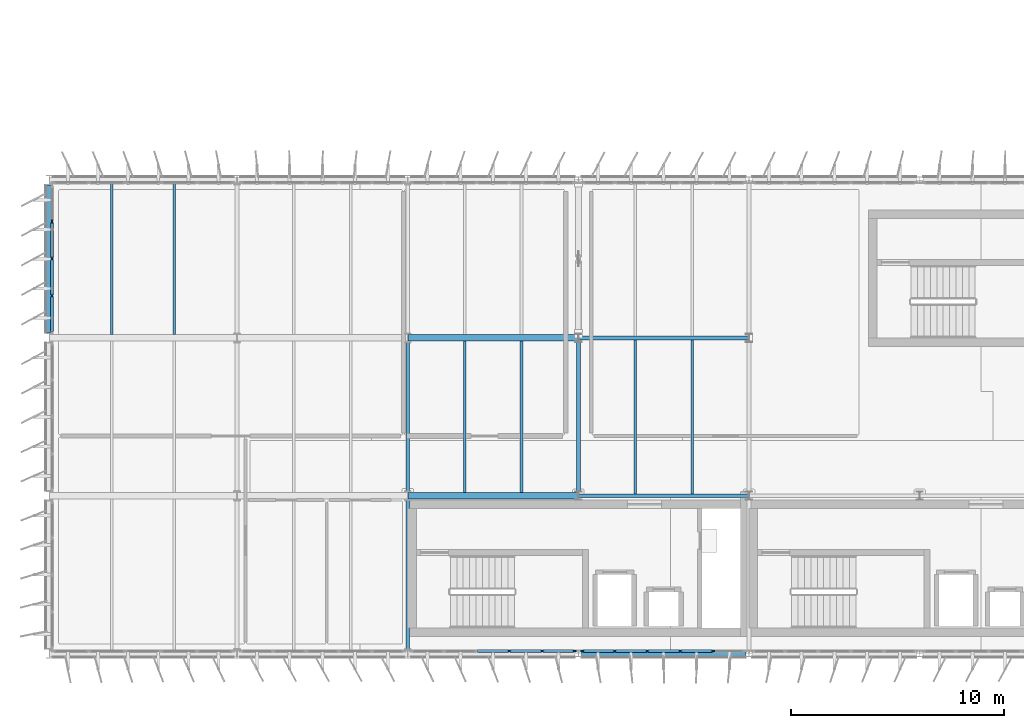
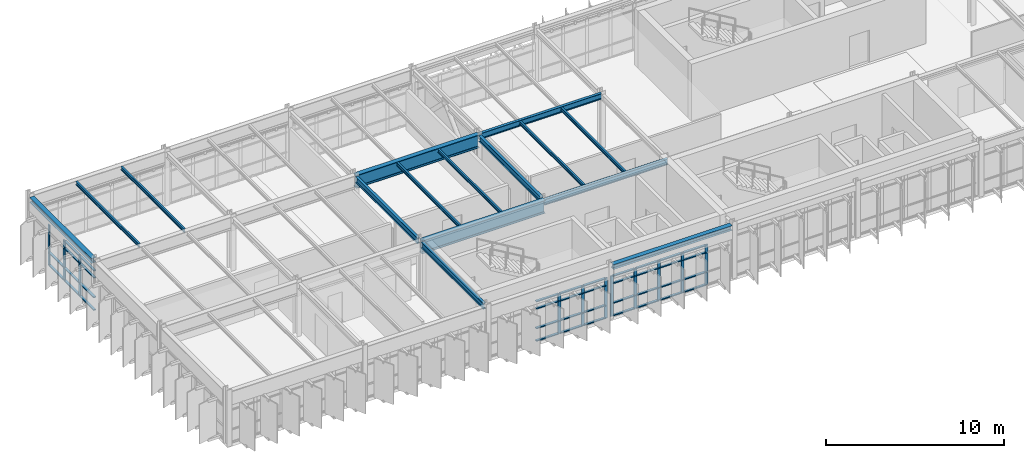
# One storey, part 6 of 35: 49 members, 15 beams, 3 elements without a shape of their own.
"""IFC4 building model written with IfcOpenShell, lengths in metres."""

from ifc_helpers import new_model, si_unit, direction, frame, origin, origin_2d, place, context, subcontext, project, spatial, rectangle, i_section, extrude, material, layer, layer_set, material_profile, profile_set, type_object, element, aggregate, save


model = new_model("IFC4")

# Units and contexts
model_context = context("Model", 3, precision=1e-05, world=origin(), true_north=direction((0.0, 1.0)))
body_context = subcontext(model_context, "Body", "Model", "MODEL_VIEW")
ifc_project = project(units=[si_unit("LENGTHUNIT", "METRE"), si_unit("AREAUNIT", "SQUARE_METRE"), si_unit("VOLUMEUNIT", "CUBIC_METRE"), si_unit("PLANEANGLEUNIT", "RADIAN"), si_unit("MASSUNIT", "GRAM", prefix="KILO")], contexts=[model_context])

# Site, building, storey
site_placement = place(None, origin())
site = spatial("IfcSite", under=ifc_project, at=site_placement, CompositionType="ELEMENT")
building_placement = place(site_placement, origin())
building = spatial("IfcBuilding", under=site, at=building_placement, Name="Valkorina Park Police Headquarters", CompositionType="ELEMENT")
storey_placement = place(building_placement, frame((0.0, 0.0, 27.199951171875)))
storey = spatial("IfcBuildingStorey", under=building, at=storey_placement, Name="L07", CompositionType="ELEMENT", Elevation=27.199951171875)

# Beams
ifc_material_1 = material(Name="Steel S355", Category="steel")
ifc_material_profile_1 = material_profile(ifc_material_1, i_section(OverallWidth=0.300048828125, OverallDepth=0.330078125, WebThickness=0.009521484375, FlangeThickness=0.0166015625, FilletRadius=0.027099609375, at=origin_2d()), Name="HEA 340")
ifc_profile_set_1 = profile_set([ifc_material_profile_1], Name="Steel S355")
beam_type_1 = type_object("IfcBeamType", Name="BM-S355-HEA340-SPN", PredefinedType="SPANDREL", material=ifc_profile_set_1)
beam_1_placement = place(storey_placement, frame((24.949951171875, 37.0, 3.51513671875), z_axis=(1.0, 0.0, 0.0), x_axis=(0.0, 1.0, 0.0)))
element("IfcBeam", 1, at=beam_1_placement, inside=storey, type_object=beam_type_1, Name="L07 Framing Beam 2727", PredefinedType="SPANDREL", context=body_context, shape_type="SweptSolid", body=[
    extrude(i_section(OverallWidth=0.300048828125, OverallDepth=0.330078125, WebThickness=0.009521484375, FlangeThickness=0.0166015625, FilletRadius=0.027099609375, at=origin_2d()), origin(), (0.0, 0.0, 1.0), 7.699951171875),
])
beam_2_placement = place(storey_placement, frame((0.0, 52.02490234375, 3.51513671875), z_axis=(0.0, 1.0, 0.0), x_axis=(-1.0, 0.0, 0.0)))
element("IfcBeam", 2, at=beam_2_placement, inside=storey, type_object=beam_type_1, Name="L07 Framing Beam 2759", PredefinedType="SPANDREL", context=body_context, shape_type="SweptSolid", body=[
    extrude(i_section(OverallWidth=0.300048828125, OverallDepth=0.330078125, WebThickness=0.009521484375, FlangeThickness=0.0166015625, FilletRadius=0.027099609375, at=origin_2d()), origin(), (0.0, 0.0, 1.0), 6.9501953125),
])
ifc_material_profile_2 = material_profile(ifc_material_1, i_section(OverallWidth=0.300048828125, OverallDepth=0.89990234375, WebThickness=0.0185546875, FlangeThickness=0.034912109375, FilletRadius=0.030029296875, at=origin_2d()), Name="HEB 900")
ifc_profile_set_2 = profile_set([ifc_material_profile_2], Name="Steel S355")
beam_type_2 = type_object("IfcBeamType", Name="BM-S355-HEB900-BM", PredefinedType="BEAM", material=ifc_profile_set_2)
for number, where, z_axis, x_axis, name in (
    (3, (16.806884765625, 44.39990234375, 3.22998046875), (1.0, 0.0, 0.0), (0.0, 1.0, 0.0), "L07 Framing Beam 2735"),
    (4, (16.806884765625, 51.800048828125, 3.22998046875), (1.0, 0.0, 0.0), (0.0, 1.0, 0.0), "L07 Framing Beam 2742"),
):
    element("IfcBeam", number, at=place(storey_placement, frame(where, z_axis=z_axis, x_axis=x_axis)), inside=storey, type_object=beam_type_2, Name=name, PredefinedType="BEAM", context=body_context, shape_type="SweptSolid", body=[
        extrude(i_section(OverallWidth=0.300048828125, OverallDepth=0.89990234375, WebThickness=0.0185546875, FlangeThickness=0.034912109375, FilletRadius=0.030029296875, at=origin_2d()), origin(), (0.0, 0.0, 1.0), 7.987548828125),
    ])
ifc_material_profile_3 = material_profile(ifc_material_1, i_section(OverallWidth=0.1201171875, OverallDepth=0.239990234375, WebThickness=0.006103515625, FlangeThickness=0.009765625, FilletRadius=0.014892578125, at=origin_2d()), Name="IPE 240")
ifc_profile_set_3 = profile_set([ifc_material_profile_3], Name="Steel S355")
beam_type_3 = type_object("IfcBeamType", Name="BM-S355-IPE240-JST", PredefinedType="JOIST", material=ifc_profile_set_3)
for number, where, z_axis, x_axis, name in (
    (5, (2.933349609375, 51.949951171875, 3.56005859375), (0.0, 1.0, 0.0), (-1.0, 0.0, 0.0), "L07 Framing Beam 2760"),
    (6, (5.86669921875, 51.949951171875, 3.56005859375), (0.0, 1.0, 0.0), (-1.0, 0.0, 0.0), "L07 Framing Beam 2761"),
):
    element("IfcBeam", number, at=place(storey_placement, frame(where, z_axis=z_axis, x_axis=x_axis)), inside=storey, type_object=beam_type_3, Name=name, PredefinedType="JOIST", context=body_context, shape_type="SweptSolid", body=[
        extrude(i_section(OverallWidth=0.1201171875, OverallDepth=0.239990234375, WebThickness=0.006103515625, FlangeThickness=0.009765625, FilletRadius=0.014892578125, at=origin_2d()), origin(), (0.0, 0.0, 1.0), 7.10009765625),
    ])
for number, where, z_axis, x_axis, name in (
    (7, (19.466796875, 44.550048828125, 3.56005859375), (0.0, 1.0, 0.0), (-1.0, 0.0, 0.0), "L07 Framing Beam 2773"),
    (8, (22.13330078125, 44.550048828125, 3.56005859375), (0.0, 1.0, 0.0), (-1.0, 0.0, 0.0), "L07 Framing Beam 2774"),
):
    element("IfcBeam", number, at=place(storey_placement, frame(where, z_axis=z_axis, x_axis=x_axis)), inside=storey, type_object=beam_type_3, Name=name, PredefinedType="JOIST", context=body_context, shape_type="SweptSolid", body=[
        extrude(i_section(OverallWidth=0.1201171875, OverallDepth=0.239990234375, WebThickness=0.006103515625, FlangeThickness=0.009765625, FilletRadius=0.014892578125, at=origin_2d()), origin(), (0.0, 0.0, 1.0), 7.099853515625),
    ])
for number, where, z_axis, x_axis, name in (
    (9, (27.466796875, 44.489990234375, 3.56005859375), (0.0, 1.0, 0.0), (-1.0, 0.0, 0.0), "L07 Framing Beam 2779"),
    (10, (30.13330078125, 44.489990234375, 3.56005859375), (0.0, 1.0, 0.0), (-1.0, 0.0, 0.0), "L07 Framing Beam 2780"),
):
    element("IfcBeam", number, at=place(storey_placement, frame(where, z_axis=z_axis, x_axis=x_axis)), inside=storey, type_object=beam_type_3, Name=name, PredefinedType="JOIST", context=body_context, shape_type="SweptSolid", body=[
        extrude(i_section(OverallWidth=0.1201171875, OverallDepth=0.239990234375, WebThickness=0.006103515625, FlangeThickness=0.009765625, FilletRadius=0.014892578125, at=origin_2d()), origin(), (0.0, 0.0, 1.0), 7.219970703125),
    ])
ifc_material_profile_4 = material_profile(ifc_material_1, i_section(OverallWidth=0.179931640625, OverallDepth=0.39990234375, WebThickness=0.008544921875, FlangeThickness=0.013427734375, FilletRadius=0.02099609375, at=origin_2d()), Name="IPE 400")
ifc_profile_set_4 = profile_set([ifc_material_profile_4], Name="Steel S355")
beam_type_4 = type_object("IfcBeamType", Name="BM-S355-IPE400-BM", PredefinedType="BEAM", material=ifc_profile_set_4)
for number, where, z_axis, x_axis, name in (
    (11, (24.805419921875, 44.39990234375, 3.47998046875), (1.0, 0.0, 0.0), (0.0, 1.0, 0.0), "L07 Framing Beam 2736"),
    (12, (24.805419921875, 51.800048828125, 3.47998046875), (1.0, 0.0, 0.0), (0.0, 1.0, 0.0), "L07 Framing Beam 2743"),
):
    element("IfcBeam", number, at=place(storey_placement, frame(where, z_axis=z_axis, x_axis=x_axis)), inside=storey, type_object=beam_type_4, Name=name, PredefinedType="BEAM", context=body_context, shape_type="SweptSolid", body=[
        extrude(i_section(OverallWidth=0.179931640625, OverallDepth=0.39990234375, WebThickness=0.008544921875, FlangeThickness=0.013427734375, FilletRadius=0.02099609375, at=origin_2d()), origin(), (0.0, 0.0, 1.0), 7.989013671875),
    ])
for number, where, z_axis, x_axis, name in (
    (13, (16.800048828125, 37.22509765625, 3.47998046875), (0.0, 1.0, 0.0), (-1.0, 0.0, 0.0), "L07 Framing Beam 2771"),
    (14, (16.800048828125, 44.625, 3.47998046875), (0.0, 1.0, 0.0), (-1.0, 0.0, 0.0), "L07 Framing Beam 2772"),
):
    element("IfcBeam", number, at=place(storey_placement, frame(where, z_axis=z_axis, x_axis=x_axis)), inside=storey, type_object=beam_type_4, Name=name, PredefinedType="BEAM", context=body_context, shape_type="SweptSolid", body=[
        extrude(i_section(OverallWidth=0.179931640625, OverallDepth=0.39990234375, WebThickness=0.008544921875, FlangeThickness=0.013427734375, FilletRadius=0.02099609375, at=origin_2d()), origin(), (0.0, 0.0, 1.0), 6.949951171875),
    ])
beam_3_placement = place(storey_placement, frame((24.800048828125, 44.594970703125, 3.47998046875), z_axis=(0.0, 1.0, 0.0), x_axis=(-1.0, 0.0, 0.0)))
element("IfcBeam", 15, at=beam_3_placement, inside=storey, type_object=beam_type_4, Name="L07 Framing Beam 2778", PredefinedType="BEAM", context=body_context, shape_type="SweptSolid", body=[
    extrude(i_section(OverallWidth=0.179931640625, OverallDepth=0.39990234375, WebThickness=0.008544921875, FlangeThickness=0.013427734375, FilletRadius=0.02099609375, at=origin_2d()), origin(), (0.0, 0.0, 1.0), 7.010009765625),
])

# Curtain wall, members
ifc_material_2 = material(Name="Thermally broken aluminium AW-6060", Category="aluminium")
ifc_layer_1 = layer(ifc_material_2, 0.18994140625)
ifc_layer_set_1 = layer_set([ifc_layer_1], Name="Thermally broken aluminium AW-6060")
curtain_wall_type_1 = type_object("IfcCurtainWallType", Name="CW-V5-7680x2770", PredefinedType="NOTDEFINED", material=ifc_layer_set_1)
curtain_wall_1_placement = place(storey_placement, origin())
curtain_wall_1 = element("IfcCurtainWall", 16, at=curtain_wall_1_placement, inside=storey, type_object=curtain_wall_type_1, Name="L07 Unitised Curtain Wall 138", PredefinedType="NOTDEFINED")
ifc_material_profile_5 = material_profile(ifc_material_2, rectangle(XDim=0.070068359375, YDim=0.18994140625, at=origin_2d()), Name="CWM-02 70x190")
ifc_profile_set_5 = profile_set([ifc_material_profile_5], Name="Thermally broken aluminium AW-6060")
member_type_1 = type_object("IfcMemberType", Name="CWM-70x190", PredefinedType="MULLION", material=ifc_profile_set_5)
member_1_placement = place(storey_placement, frame((31.10400390625, 37.1201171875, 0.0), z_axis=(0.0, 0.0, 1.0), x_axis=(0.0, -1.0, 0.0)))
member_1 = element("IfcMember", 17, at=member_1_placement, type_object=member_type_1, Name="CW-V5-768-277 mullion 2", PredefinedType="MULLION", context=body_context, shape_type="SweptSolid", body=[
    extrude(rectangle(XDim=0.070068359375, YDim=0.18994140625, at=origin_2d()), origin(), (0.0, 0.0, 1.0), 2.77001953125),
])
member_2_placement = place(storey_placement, frame((29.568115234375, 37.1201171875, 0.0), z_axis=(0.0, 0.0, 1.0), x_axis=(0.0, -1.0, 0.0)))
member_2 = element("IfcMember", 18, at=member_2_placement, type_object=member_type_1, Name="CW-V5-768-277 mullion 3", PredefinedType="MULLION", context=body_context, shape_type="SweptSolid", body=[
    extrude(rectangle(XDim=0.070068359375, YDim=0.18994140625, at=origin_2d()), origin(), (0.0, 0.0, 1.0), 2.77001953125),
])
member_3_placement = place(storey_placement, frame((28.031982421875, 37.1201171875, 0.0), z_axis=(0.0, 0.0, 1.0), x_axis=(0.0, -1.0, 0.0)))
member_3 = element("IfcMember", 19, at=member_3_placement, type_object=member_type_1, Name="CW-V5-768-277 mullion 4", PredefinedType="MULLION", context=body_context, shape_type="SweptSolid", body=[
    extrude(rectangle(XDim=0.070068359375, YDim=0.18994140625, at=origin_2d()), origin(), (0.0, 0.0, 1.0), 2.77001953125),
])
member_4_placement = place(storey_placement, frame((26.49609375, 37.1201171875, 0.0), z_axis=(0.0, 0.0, 1.0), x_axis=(0.0, -1.0, 0.0)))
member_4 = element("IfcMember", 20, at=member_4_placement, type_object=member_type_1, Name="CW-V5-768-277 mullion 5", PredefinedType="MULLION", context=body_context, shape_type="SweptSolid", body=[
    extrude(rectangle(XDim=0.070068359375, YDim=0.18994140625, at=origin_2d()), origin(), (0.0, 0.0, 1.0), 2.77001953125),
])
member_5_placement = place(storey_placement, frame((24.9951171875, 37.1201171875, 0.0), z_axis=(0.0, 0.0, 1.0), x_axis=(0.0, -1.0, 0.0)))
member_5 = element("IfcMember", 21, at=member_5_placement, type_object=member_type_1, Name="CW-V5-768-277 mullion 6", PredefinedType="MULLION", context=body_context, shape_type="SweptSolid", body=[
    extrude(rectangle(XDim=0.070068359375, YDim=0.18994140625, at=origin_2d()), origin(), (0.0, 0.0, 1.0), 2.77001953125),
])

curtain_wall_2_placement = place(storey_placement, origin())
curtain_wall_2 = element("IfcCurtainWall", 22, at=curtain_wall_2_placement, inside=storey, type_object=curtain_wall_type_1, Name="L07 Unitised Curtain Wall 139", PredefinedType="NOTDEFINED")
member_6_placement = place(storey_placement, frame((24.60498046875, 37.1201171875, 0.0), z_axis=(0.0, 0.0, 1.0), x_axis=(0.0, -1.0, 0.0)))
member_6 = element("IfcMember", 23, at=member_6_placement, type_object=member_type_1, Name="CW-V5-768-277 mullion 1", PredefinedType="MULLION", context=body_context, shape_type="SweptSolid", body=[
    extrude(rectangle(XDim=0.070068359375, YDim=0.18994140625, at=origin_2d()), origin(), (0.0, 0.0, 1.0), 2.77001953125),
])
member_7_placement = place(storey_placement, frame((23.10400390625, 37.1201171875, 0.0), z_axis=(0.0, 0.0, 1.0), x_axis=(0.0, -1.0, 0.0)))
member_7 = element("IfcMember", 24, at=member_7_placement, type_object=member_type_1, Name="CW-V5-768-277 mullion 2", PredefinedType="MULLION", context=body_context, shape_type="SweptSolid", body=[
    extrude(rectangle(XDim=0.070068359375, YDim=0.18994140625, at=origin_2d()), origin(), (0.0, 0.0, 1.0), 2.77001953125),
])
member_8_placement = place(storey_placement, frame((21.568115234375, 37.1201171875, 0.0), z_axis=(0.0, 0.0, 1.0), x_axis=(0.0, -1.0, 0.0)))
member_8 = element("IfcMember", 25, at=member_8_placement, type_object=member_type_1, Name="CW-V5-768-277 mullion 3", PredefinedType="MULLION", context=body_context, shape_type="SweptSolid", body=[
    extrude(rectangle(XDim=0.070068359375, YDim=0.18994140625, at=origin_2d()), origin(), (0.0, 0.0, 1.0), 2.77001953125),
])

ifc_layer_2 = layer(ifc_material_2, 0.18994140625)
ifc_layer_set_2 = layer_set([ifc_layer_2], Name="Thermally broken aluminium AW-6060")
curtain_wall_type_2 = type_object("IfcCurtainWallType", Name="CW-V5-6930x2770", PredefinedType="NOTDEFINED", material=ifc_layer_set_2)
curtain_wall_3_placement = place(storey_placement, origin())
curtain_wall_3 = element("IfcCurtainWall", 26, at=curtain_wall_3_placement, inside=storey, type_object=curtain_wall_type_2, Name="L07 Unitised Curtain Wall 144", PredefinedType="NOTDEFINED")
member_9_placement = place(storey_placement, frame((0.1201171875, 53.767578125, 0.0), z_axis=(0.0, 0.0, 1.0), x_axis=(-1.0, 0.0, 0.0)))
member_9 = element("IfcMember", 27, at=member_9_placement, type_object=member_type_1, Name="CW-V5-693-277 mullion 2", PredefinedType="MULLION", context=body_context, shape_type="SweptSolid", body=[
    extrude(rectangle(XDim=0.070068359375, YDim=0.18994140625, at=origin_2d()), origin(), (0.0, 0.0, 1.0), 2.77001953125),
])
member_10_placement = place(storey_placement, frame((0.1201171875, 55.5, 0.0), z_axis=(0.0, 0.0, 1.0), x_axis=(-1.0, 0.0, 0.0)))
member_10 = element("IfcMember", 28, at=member_10_placement, type_object=member_type_1, Name="CW-V5-693-277 mullion 3", PredefinedType="MULLION", context=body_context, shape_type="SweptSolid", body=[
    extrude(rectangle(XDim=0.070068359375, YDim=0.18994140625, at=origin_2d()), origin(), (0.0, 0.0, 1.0), 2.77001953125),
])
member_11_placement = place(storey_placement, frame((0.1201171875, 57.232421875, 0.0), z_axis=(0.0, 0.0, 1.0), x_axis=(-1.0, 0.0, 0.0)))
member_11 = element("IfcMember", 29, at=member_11_placement, type_object=member_type_1, Name="CW-V5-693-277 mullion 4", PredefinedType="MULLION", context=body_context, shape_type="SweptSolid", body=[
    extrude(rectangle(XDim=0.070068359375, YDim=0.18994140625, at=origin_2d()), origin(), (0.0, 0.0, 1.0), 2.77001953125),
])

# Member
ifc_material_profile_6 = material_profile(ifc_material_2, rectangle(XDim=0.14990234375, YDim=0.070068359375, at=origin_2d()), Name="CWT-02 150x70")
ifc_profile_set_6 = profile_set([ifc_material_profile_6], Name="Thermally broken aluminium AW-6060")
member_type_2 = type_object("IfcMemberType", Name="CWT-150x70", PredefinedType="USERDEFINED", material=ifc_profile_set_6)
member_12_placement = place(storey_placement, frame((31.069091796875, 37.1201171875, 0.03515625), z_axis=(-1.0, 0.0, 0.0), x_axis=(0.0, -1.0, 0.0)))
member_12 = element("IfcMember", 30, at=member_12_placement, type_object=member_type_2, Name="CW-V5-768-277 transom 2.1", ObjectType="TRANSOM", PredefinedType="USERDEFINED", context=body_context, shape_type="SweptSolid", body=[
    extrude(rectangle(XDim=0.14990234375, YDim=0.070068359375, at=origin_2d()), origin(), (0.0, 0.0, 1.0), 1.466064453125),
])

member_13_placement = place(storey_placement, frame((31.069091796875, 37.1201171875, 0.900146484375), z_axis=(-1.0, 0.0, 0.0), x_axis=(0.0, -1.0, 0.0)))
member_13 = element("IfcMember", 31, at=member_13_placement, type_object=member_type_2, Name="CW-V5-768-277 transom 2.2", ObjectType="TRANSOM", PredefinedType="USERDEFINED", context=body_context, shape_type="SweptSolid", body=[
    extrude(rectangle(XDim=0.14990234375, YDim=0.070068359375, at=origin_2d()), origin(), (0.0, 0.0, 1.0), 1.466064453125),
])

member_14_placement = place(storey_placement, frame((31.069091796875, 37.1201171875, 2.25), z_axis=(-1.0, 0.0, 0.0), x_axis=(0.0, -1.0, 0.0)))
member_14 = element("IfcMember", 32, at=member_14_placement, type_object=member_type_2, Name="CW-V5-768-277 transom 2.3", ObjectType="TRANSOM", PredefinedType="USERDEFINED", context=body_context, shape_type="SweptSolid", body=[
    extrude(rectangle(XDim=0.14990234375, YDim=0.070068359375, at=origin_2d()), origin(), (0.0, 0.0, 1.0), 1.466064453125),
])

member_15_placement = place(storey_placement, frame((31.069091796875, 37.1201171875, 2.735107421875), z_axis=(-1.0, 0.0, 0.0), x_axis=(0.0, -1.0, 0.0)))
member_15 = element("IfcMember", 33, at=member_15_placement, type_object=member_type_2, Name="CW-V5-768-277 transom 2.4", ObjectType="TRANSOM", PredefinedType="USERDEFINED", context=body_context, shape_type="SweptSolid", body=[
    extrude(rectangle(XDim=0.14990234375, YDim=0.070068359375, at=origin_2d()), origin(), (0.0, 0.0, 1.0), 1.466064453125),
])

member_16_placement = place(storey_placement, frame((29.532958984375, 37.1201171875, 0.03515625), z_axis=(-1.0, 0.0, 0.0), x_axis=(0.0, -1.0, 0.0)))
member_16 = element("IfcMember", 34, at=member_16_placement, type_object=member_type_2, Name="CW-V5-768-277 transom 3.1", ObjectType="TRANSOM", PredefinedType="USERDEFINED", context=body_context, shape_type="SweptSolid", body=[
    extrude(rectangle(XDim=0.14990234375, YDim=0.070068359375, at=origin_2d()), origin(), (0.0, 0.0, 1.0), 1.466064453125),
])

member_17_placement = place(storey_placement, frame((29.532958984375, 37.1201171875, 0.900146484375), z_axis=(-1.0, 0.0, 0.0), x_axis=(0.0, -1.0, 0.0)))
member_17 = element("IfcMember", 35, at=member_17_placement, type_object=member_type_2, Name="CW-V5-768-277 transom 3.2", ObjectType="TRANSOM", PredefinedType="USERDEFINED", context=body_context, shape_type="SweptSolid", body=[
    extrude(rectangle(XDim=0.14990234375, YDim=0.070068359375, at=origin_2d()), origin(), (0.0, 0.0, 1.0), 1.466064453125),
])

member_18_placement = place(storey_placement, frame((29.532958984375, 37.1201171875, 2.25), z_axis=(-1.0, 0.0, 0.0), x_axis=(0.0, -1.0, 0.0)))
member_18 = element("IfcMember", 36, at=member_18_placement, type_object=member_type_2, Name="CW-V5-768-277 transom 3.3", ObjectType="TRANSOM", PredefinedType="USERDEFINED", context=body_context, shape_type="SweptSolid", body=[
    extrude(rectangle(XDim=0.14990234375, YDim=0.070068359375, at=origin_2d()), origin(), (0.0, 0.0, 1.0), 1.466064453125),
])

member_19_placement = place(storey_placement, frame((29.532958984375, 37.1201171875, 2.735107421875), z_axis=(-1.0, 0.0, 0.0), x_axis=(0.0, -1.0, 0.0)))
member_19 = element("IfcMember", 37, at=member_19_placement, type_object=member_type_2, Name="CW-V5-768-277 transom 3.4", ObjectType="TRANSOM", PredefinedType="USERDEFINED", context=body_context, shape_type="SweptSolid", body=[
    extrude(rectangle(XDim=0.14990234375, YDim=0.070068359375, at=origin_2d()), origin(), (0.0, 0.0, 1.0), 1.466064453125),
])

member_20_placement = place(storey_placement, frame((27.9970703125, 37.1201171875, 0.03515625), z_axis=(-1.0, 0.0, 0.0), x_axis=(0.0, -1.0, 0.0)))
member_20 = element("IfcMember", 38, at=member_20_placement, type_object=member_type_2, Name="CW-V5-768-277 transom 4.1", ObjectType="TRANSOM", PredefinedType="USERDEFINED", context=body_context, shape_type="SweptSolid", body=[
    extrude(rectangle(XDim=0.14990234375, YDim=0.070068359375, at=origin_2d()), origin(), (0.0, 0.0, 1.0), 1.466064453125),
])

member_21_placement = place(storey_placement, frame((27.9970703125, 37.1201171875, 0.900146484375), z_axis=(-1.0, 0.0, 0.0), x_axis=(0.0, -1.0, 0.0)))
member_21 = element("IfcMember", 39, at=member_21_placement, type_object=member_type_2, Name="CW-V5-768-277 transom 4.2", ObjectType="TRANSOM", PredefinedType="USERDEFINED", context=body_context, shape_type="SweptSolid", body=[
    extrude(rectangle(XDim=0.14990234375, YDim=0.070068359375, at=origin_2d()), origin(), (0.0, 0.0, 1.0), 1.466064453125),
])

member_22_placement = place(storey_placement, frame((27.9970703125, 37.1201171875, 2.25), z_axis=(-1.0, 0.0, 0.0), x_axis=(0.0, -1.0, 0.0)))
member_22 = element("IfcMember", 40, at=member_22_placement, type_object=member_type_2, Name="CW-V5-768-277 transom 4.3", ObjectType="TRANSOM", PredefinedType="USERDEFINED", context=body_context, shape_type="SweptSolid", body=[
    extrude(rectangle(XDim=0.14990234375, YDim=0.070068359375, at=origin_2d()), origin(), (0.0, 0.0, 1.0), 1.466064453125),
])

member_23_placement = place(storey_placement, frame((27.9970703125, 37.1201171875, 2.735107421875), z_axis=(-1.0, 0.0, 0.0), x_axis=(0.0, -1.0, 0.0)))
member_23 = element("IfcMember", 41, at=member_23_placement, type_object=member_type_2, Name="CW-V5-768-277 transom 4.4", ObjectType="TRANSOM", PredefinedType="USERDEFINED", context=body_context, shape_type="SweptSolid", body=[
    extrude(rectangle(XDim=0.14990234375, YDim=0.070068359375, at=origin_2d()), origin(), (0.0, 0.0, 1.0), 1.466064453125),
])

member_24_placement = place(storey_placement, frame((26.4609375, 37.1201171875, 0.03515625), z_axis=(-1.0, 0.0, 0.0), x_axis=(0.0, -1.0, 0.0)))
member_24 = element("IfcMember", 42, at=member_24_placement, type_object=member_type_2, Name="CW-V5-768-277 transom 5.1", ObjectType="TRANSOM", PredefinedType="USERDEFINED", context=body_context, shape_type="SweptSolid", body=[
    extrude(rectangle(XDim=0.14990234375, YDim=0.070068359375, at=origin_2d()), origin(), (0.0, 0.0, 1.0), 1.430908203125),
])

member_25_placement = place(storey_placement, frame((26.4609375, 37.1201171875, 0.900146484375), z_axis=(-1.0, 0.0, 0.0), x_axis=(0.0, -1.0, 0.0)))
member_25 = element("IfcMember", 43, at=member_25_placement, type_object=member_type_2, Name="CW-V5-768-277 transom 5.2", ObjectType="TRANSOM", PredefinedType="USERDEFINED", context=body_context, shape_type="SweptSolid", body=[
    extrude(rectangle(XDim=0.14990234375, YDim=0.070068359375, at=origin_2d()), origin(), (0.0, 0.0, 1.0), 1.430908203125),
])

member_26_placement = place(storey_placement, frame((26.4609375, 37.1201171875, 2.25), z_axis=(-1.0, 0.0, 0.0), x_axis=(0.0, -1.0, 0.0)))
member_26 = element("IfcMember", 44, at=member_26_placement, type_object=member_type_2, Name="CW-V5-768-277 transom 5.3", ObjectType="TRANSOM", PredefinedType="USERDEFINED", context=body_context, shape_type="SweptSolid", body=[
    extrude(rectangle(XDim=0.14990234375, YDim=0.070068359375, at=origin_2d()), origin(), (0.0, 0.0, 1.0), 1.430908203125),
])

member_27_placement = place(storey_placement, frame((26.4609375, 37.1201171875, 2.735107421875), z_axis=(-1.0, 0.0, 0.0), x_axis=(0.0, -1.0, 0.0)))
member_27 = element("IfcMember", 45, at=member_27_placement, type_object=member_type_2, Name="CW-V5-768-277 transom 5.4", ObjectType="TRANSOM", PredefinedType="USERDEFINED", context=body_context, shape_type="SweptSolid", body=[
    extrude(rectangle(XDim=0.14990234375, YDim=0.070068359375, at=origin_2d()), origin(), (0.0, 0.0, 1.0), 1.430908203125),
])

aggregate(curtain_wall_1, [member_1, member_2, member_3, member_4, member_5, member_12, member_13, member_14, member_15, member_16, member_17, member_18, member_19, member_20, member_21, member_22, member_23, member_24, member_25, member_26, member_27])

member_28_placement = place(storey_placement, frame((24.570068359375, 37.1201171875, 0.03515625), z_axis=(-1.0, 0.0, 0.0), x_axis=(0.0, -1.0, 0.0)))
member_28 = element("IfcMember", 46, at=member_28_placement, type_object=member_type_2, Name="CW-V5-768-277 transom 1.1", ObjectType="TRANSOM", PredefinedType="USERDEFINED", context=body_context, shape_type="SweptSolid", body=[
    extrude(rectangle(XDim=0.14990234375, YDim=0.070068359375, at=origin_2d()), origin(), (0.0, 0.0, 1.0), 1.43115234375),
])

member_29_placement = place(storey_placement, frame((24.570068359375, 37.1201171875, 0.900146484375), z_axis=(-1.0, 0.0, 0.0), x_axis=(0.0, -1.0, 0.0)))
member_29 = element("IfcMember", 47, at=member_29_placement, type_object=member_type_2, Name="CW-V5-768-277 transom 1.2", ObjectType="TRANSOM", PredefinedType="USERDEFINED", context=body_context, shape_type="SweptSolid", body=[
    extrude(rectangle(XDim=0.14990234375, YDim=0.070068359375, at=origin_2d()), origin(), (0.0, 0.0, 1.0), 1.43115234375),
])

member_30_placement = place(storey_placement, frame((24.570068359375, 37.1201171875, 2.25), z_axis=(-1.0, 0.0, 0.0), x_axis=(0.0, -1.0, 0.0)))
member_30 = element("IfcMember", 48, at=member_30_placement, type_object=member_type_2, Name="CW-V5-768-277 transom 1.3", ObjectType="TRANSOM", PredefinedType="USERDEFINED", context=body_context, shape_type="SweptSolid", body=[
    extrude(rectangle(XDim=0.14990234375, YDim=0.070068359375, at=origin_2d()), origin(), (0.0, 0.0, 1.0), 1.43115234375),
])

member_31_placement = place(storey_placement, frame((24.570068359375, 37.1201171875, 2.735107421875), z_axis=(-1.0, 0.0, 0.0), x_axis=(0.0, -1.0, 0.0)))
member_31 = element("IfcMember", 49, at=member_31_placement, type_object=member_type_2, Name="CW-V5-768-277 transom 1.4", ObjectType="TRANSOM", PredefinedType="USERDEFINED", context=body_context, shape_type="SweptSolid", body=[
    extrude(rectangle(XDim=0.14990234375, YDim=0.070068359375, at=origin_2d()), origin(), (0.0, 0.0, 1.0), 1.43115234375),
])

member_32_placement = place(storey_placement, frame((23.069091796875, 37.1201171875, 0.03515625), z_axis=(-1.0, 0.0, 0.0), x_axis=(0.0, -1.0, 0.0)))
member_32 = element("IfcMember", 50, at=member_32_placement, type_object=member_type_2, Name="CW-V5-768-277 transom 2.1", ObjectType="TRANSOM", PredefinedType="USERDEFINED", context=body_context, shape_type="SweptSolid", body=[
    extrude(rectangle(XDim=0.14990234375, YDim=0.070068359375, at=origin_2d()), origin(), (0.0, 0.0, 1.0), 1.466064453125),
])

member_33_placement = place(storey_placement, frame((23.069091796875, 37.1201171875, 0.900146484375), z_axis=(-1.0, 0.0, 0.0), x_axis=(0.0, -1.0, 0.0)))
member_33 = element("IfcMember", 51, at=member_33_placement, type_object=member_type_2, Name="CW-V5-768-277 transom 2.2", ObjectType="TRANSOM", PredefinedType="USERDEFINED", context=body_context, shape_type="SweptSolid", body=[
    extrude(rectangle(XDim=0.14990234375, YDim=0.070068359375, at=origin_2d()), origin(), (0.0, 0.0, 1.0), 1.466064453125),
])

member_34_placement = place(storey_placement, frame((23.069091796875, 37.1201171875, 2.25), z_axis=(-1.0, 0.0, 0.0), x_axis=(0.0, -1.0, 0.0)))
member_34 = element("IfcMember", 52, at=member_34_placement, type_object=member_type_2, Name="CW-V5-768-277 transom 2.3", ObjectType="TRANSOM", PredefinedType="USERDEFINED", context=body_context, shape_type="SweptSolid", body=[
    extrude(rectangle(XDim=0.14990234375, YDim=0.070068359375, at=origin_2d()), origin(), (0.0, 0.0, 1.0), 1.466064453125),
])

member_35_placement = place(storey_placement, frame((23.069091796875, 37.1201171875, 2.735107421875), z_axis=(-1.0, 0.0, 0.0), x_axis=(0.0, -1.0, 0.0)))
member_35 = element("IfcMember", 53, at=member_35_placement, type_object=member_type_2, Name="CW-V5-768-277 transom 2.4", ObjectType="TRANSOM", PredefinedType="USERDEFINED", context=body_context, shape_type="SweptSolid", body=[
    extrude(rectangle(XDim=0.14990234375, YDim=0.070068359375, at=origin_2d()), origin(), (0.0, 0.0, 1.0), 1.466064453125),
])

member_36_placement = place(storey_placement, frame((21.532958984375, 37.1201171875, 0.03515625), z_axis=(-1.0, 0.0, 0.0), x_axis=(0.0, -1.0, 0.0)))
member_36 = element("IfcMember", 54, at=member_36_placement, type_object=member_type_2, Name="CW-V5-768-277 transom 3.1", ObjectType="TRANSOM", PredefinedType="USERDEFINED", context=body_context, shape_type="SweptSolid", body=[
    extrude(rectangle(XDim=0.14990234375, YDim=0.070068359375, at=origin_2d()), origin(), (0.0, 0.0, 1.0), 1.466064453125),
])

member_37_placement = place(storey_placement, frame((21.532958984375, 37.1201171875, 0.900146484375), z_axis=(-1.0, 0.0, 0.0), x_axis=(0.0, -1.0, 0.0)))
member_37 = element("IfcMember", 55, at=member_37_placement, type_object=member_type_2, Name="CW-V5-768-277 transom 3.2", ObjectType="TRANSOM", PredefinedType="USERDEFINED", context=body_context, shape_type="SweptSolid", body=[
    extrude(rectangle(XDim=0.14990234375, YDim=0.070068359375, at=origin_2d()), origin(), (0.0, 0.0, 1.0), 1.466064453125),
])

member_38_placement = place(storey_placement, frame((21.532958984375, 37.1201171875, 2.25), z_axis=(-1.0, 0.0, 0.0), x_axis=(0.0, -1.0, 0.0)))
member_38 = element("IfcMember", 56, at=member_38_placement, type_object=member_type_2, Name="CW-V5-768-277 transom 3.3", ObjectType="TRANSOM", PredefinedType="USERDEFINED", context=body_context, shape_type="SweptSolid", body=[
    extrude(rectangle(XDim=0.14990234375, YDim=0.070068359375, at=origin_2d()), origin(), (0.0, 0.0, 1.0), 1.466064453125),
])

member_39_placement = place(storey_placement, frame((21.532958984375, 37.1201171875, 2.735107421875), z_axis=(-1.0, 0.0, 0.0), x_axis=(0.0, -1.0, 0.0)))
member_39 = element("IfcMember", 57, at=member_39_placement, type_object=member_type_2, Name="CW-V5-768-277 transom 3.4", ObjectType="TRANSOM", PredefinedType="USERDEFINED", context=body_context, shape_type="SweptSolid", body=[
    extrude(rectangle(XDim=0.14990234375, YDim=0.070068359375, at=origin_2d()), origin(), (0.0, 0.0, 1.0), 1.466064453125),
])

aggregate(curtain_wall_2, [member_6, member_7, member_8, member_28, member_29, member_30, member_31, member_32, member_33, member_34, member_35, member_36, member_37, member_38, member_39])

member_40_placement = place(storey_placement, frame((0.1201171875, 52.10498046875, 0.03515625), z_axis=(0.0, 1.0, 0.0), x_axis=(-1.0, 0.0, 0.0)))
member_40 = element("IfcMember", 58, at=member_40_placement, type_object=member_type_2, Name="CW-V5-693-277 transom 1.1", ObjectType="TRANSOM", PredefinedType="USERDEFINED", context=body_context, shape_type="SweptSolid", body=[
    extrude(rectangle(XDim=0.14990234375, YDim=0.070068359375, at=origin_2d()), origin(), (0.0, 0.0, 1.0), 1.62744140625),
])

member_41_placement = place(storey_placement, frame((0.1201171875, 52.10498046875, 0.900146484375), z_axis=(0.0, 1.0, 0.0), x_axis=(-1.0, 0.0, 0.0)))
member_41 = element("IfcMember", 59, at=member_41_placement, type_object=member_type_2, Name="CW-V5-693-277 transom 1.2", ObjectType="TRANSOM", PredefinedType="USERDEFINED", context=body_context, shape_type="SweptSolid", body=[
    extrude(rectangle(XDim=0.14990234375, YDim=0.070068359375, at=origin_2d()), origin(), (0.0, 0.0, 1.0), 1.62744140625),
])

member_42_placement = place(storey_placement, frame((0.1201171875, 52.10498046875, 2.25), z_axis=(0.0, 1.0, 0.0), x_axis=(-1.0, 0.0, 0.0)))
member_42 = element("IfcMember", 60, at=member_42_placement, type_object=member_type_2, Name="CW-V5-693-277 transom 1.3", ObjectType="TRANSOM", PredefinedType="USERDEFINED", context=body_context, shape_type="SweptSolid", body=[
    extrude(rectangle(XDim=0.14990234375, YDim=0.070068359375, at=origin_2d()), origin(), (0.0, 0.0, 1.0), 1.62744140625),
])

member_43_placement = place(storey_placement, frame((0.1201171875, 52.10498046875, 2.735107421875), z_axis=(0.0, 1.0, 0.0), x_axis=(-1.0, 0.0, 0.0)))
member_43 = element("IfcMember", 61, at=member_43_placement, type_object=member_type_2, Name="CW-V5-693-277 transom 1.4", ObjectType="TRANSOM", PredefinedType="USERDEFINED", context=body_context, shape_type="SweptSolid", body=[
    extrude(rectangle(XDim=0.14990234375, YDim=0.070068359375, at=origin_2d()), origin(), (0.0, 0.0, 1.0), 1.62744140625),
])

member_44_placement = place(storey_placement, frame((0.1201171875, 53.802490234375, 0.03515625), z_axis=(0.0, 1.0, 0.0), x_axis=(-1.0, 0.0, 0.0)))
member_44 = element("IfcMember", 62, at=member_44_placement, type_object=member_type_2, Name="CW-V5-693-277 transom 2.1", ObjectType="TRANSOM", PredefinedType="USERDEFINED", context=body_context, shape_type="SweptSolid", body=[
    extrude(rectangle(XDim=0.14990234375, YDim=0.070068359375, at=origin_2d()), origin(), (0.0, 0.0, 1.0), 1.66259765625),
])

member_45_placement = place(storey_placement, frame((0.1201171875, 53.802490234375, 0.900146484375), z_axis=(0.0, 1.0, 0.0), x_axis=(-1.0, 0.0, 0.0)))
member_45 = element("IfcMember", 63, at=member_45_placement, type_object=member_type_2, Name="CW-V5-693-277 transom 2.2", ObjectType="TRANSOM", PredefinedType="USERDEFINED", context=body_context, shape_type="SweptSolid", body=[
    extrude(rectangle(XDim=0.14990234375, YDim=0.070068359375, at=origin_2d()), origin(), (0.0, 0.0, 1.0), 1.66259765625),
])

member_46_placement = place(storey_placement, frame((0.1201171875, 53.802490234375, 2.25), z_axis=(0.0, 1.0, 0.0), x_axis=(-1.0, 0.0, 0.0)))
member_46 = element("IfcMember", 64, at=member_46_placement, type_object=member_type_2, Name="CW-V5-693-277 transom 2.3", ObjectType="TRANSOM", PredefinedType="USERDEFINED", context=body_context, shape_type="SweptSolid", body=[
    extrude(rectangle(XDim=0.14990234375, YDim=0.070068359375, at=origin_2d()), origin(), (0.0, 0.0, 1.0), 1.66259765625),
])

member_47_placement = place(storey_placement, frame((0.1201171875, 53.802490234375, 2.735107421875), z_axis=(0.0, 1.0, 0.0), x_axis=(-1.0, 0.0, 0.0)))
member_47 = element("IfcMember", 65, at=member_47_placement, type_object=member_type_2, Name="CW-V5-693-277 transom 2.4", ObjectType="TRANSOM", PredefinedType="USERDEFINED", context=body_context, shape_type="SweptSolid", body=[
    extrude(rectangle(XDim=0.14990234375, YDim=0.070068359375, at=origin_2d()), origin(), (0.0, 0.0, 1.0), 1.66259765625),
])

member_48_placement = place(storey_placement, frame((0.1201171875, 55.534912109375, 0.03515625), z_axis=(0.0, 1.0, 0.0), x_axis=(-1.0, 0.0, 0.0)))
member_48 = element("IfcMember", 66, at=member_48_placement, type_object=member_type_2, Name="CW-V5-693-277 transom 3.1", ObjectType="TRANSOM", PredefinedType="USERDEFINED", context=body_context, shape_type="SweptSolid", body=[
    extrude(rectangle(XDim=0.14990234375, YDim=0.070068359375, at=origin_2d()), origin(), (0.0, 0.0, 1.0), 1.66259765625),
])

member_49_placement = place(storey_placement, frame((0.1201171875, 55.534912109375, 0.900146484375), z_axis=(0.0, 1.0, 0.0), x_axis=(-1.0, 0.0, 0.0)))
member_49 = element("IfcMember", 67, at=member_49_placement, type_object=member_type_2, Name="CW-V5-693-277 transom 3.2", ObjectType="TRANSOM", PredefinedType="USERDEFINED", context=body_context, shape_type="SweptSolid", body=[
    extrude(rectangle(XDim=0.14990234375, YDim=0.070068359375, at=origin_2d()), origin(), (0.0, 0.0, 1.0), 1.66259765625),
])

aggregate(curtain_wall_3, [member_9, member_10, member_11, member_40, member_41, member_42, member_43, member_44, member_45, member_46, member_47, member_48, member_49])

save(model, "model.ifc")
